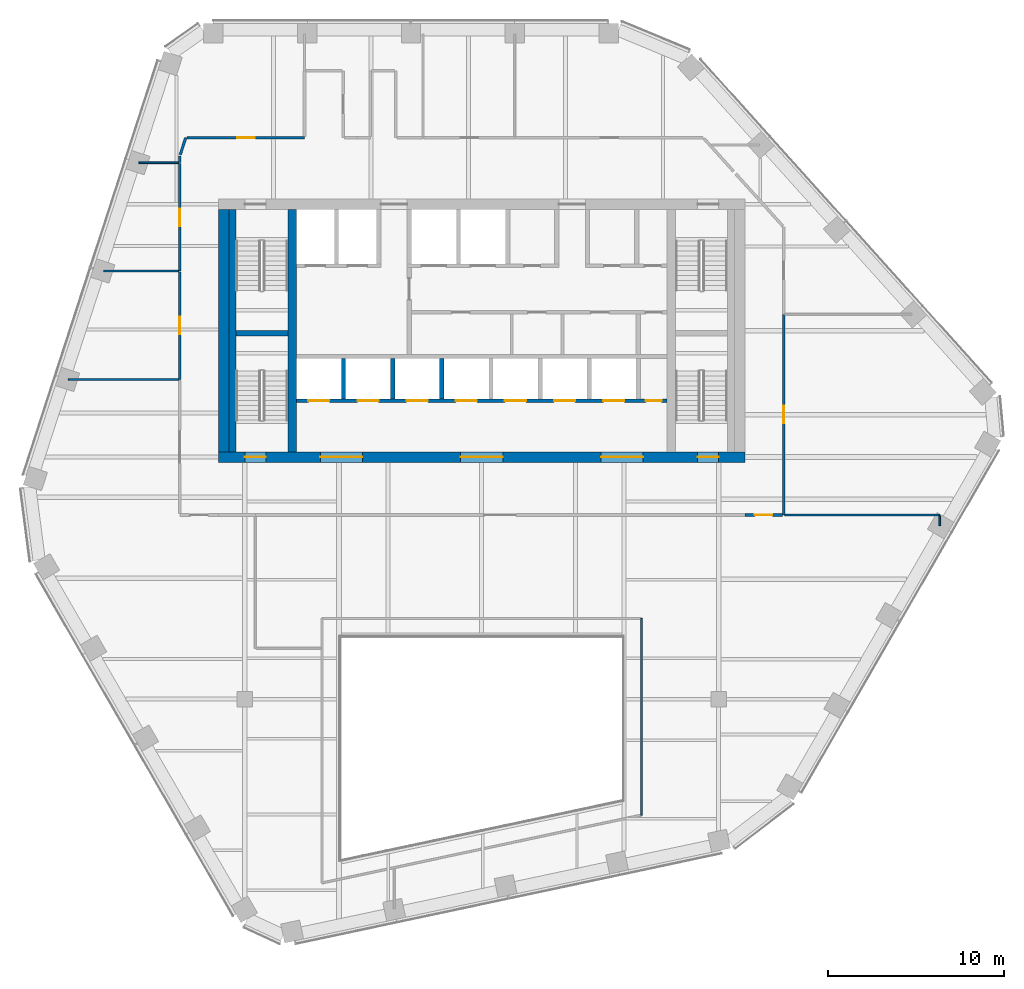
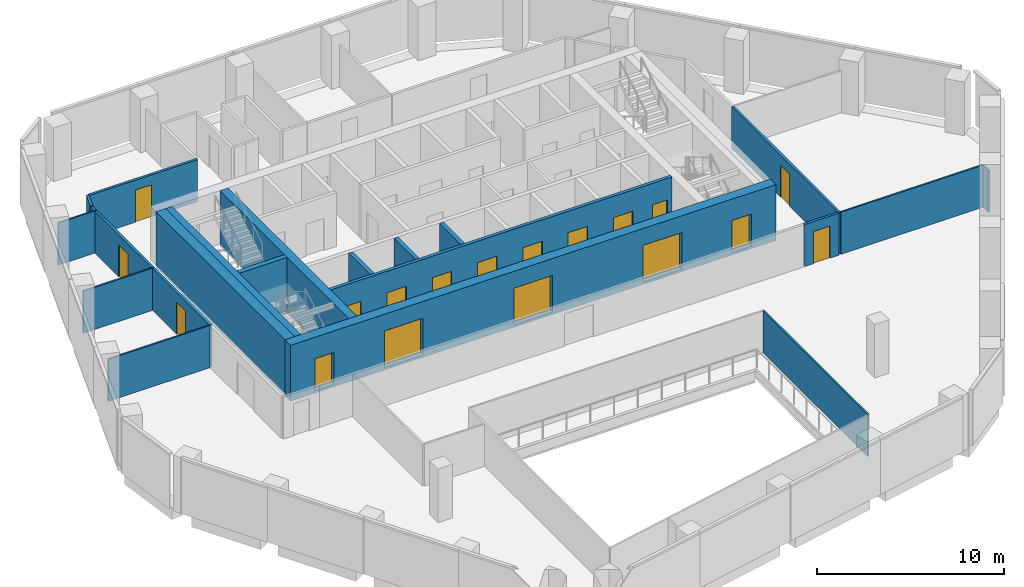
# One storey, part 9 of 15: 22 walls, 18 doors, 18 openings.
"""IFC4 building model written with IfcOpenShell, lengths in metres."""

import ifcopenshell
import ifcopenshell.guid

model = None  # the IFC model being written
_history = None  # IfcOwnerHistory: only IFC2X3 demands one
_inside = {}  # id of a spatial element -> (the spatial element, [elements in it])
_under = {}  # id of a project, library or spatial element -> (it, [spatial elements below it])
_declared = {}  # id of a project -> (the project, [libraries it declares])
_typed = {}  # id of a type object -> (the type object, [elements of that type])
_made_of = {}  # id of a material, layer set ... -> (it, [elements and type objects made of it])


def new_model(schema):
    """Start an empty IFC model of exactly this schema.

    Asked for "IFC4X3", IfcOpenShell would pick the latest addendum, in which some entities
    have other attributes; the version numbers below select the first issue.
    IFC2X3 requires an IfcOwnerHistory on every rooted entity: one is made here for all.
    """
    global model, _history
    if schema == "IFC4X3":
        model = ifcopenshell.file(schema_version=(4, 3, 0, 0))
    else:
        model = ifcopenshell.file(schema=schema)
    _inside.clear()
    _under.clear()
    _declared.clear()
    _typed.clear()
    _made_of.clear()
    _history = None
    if model.schema == "IFC2X3":
        org = make("IfcOrganization", Name="unknown")
        user = make(
            "IfcPersonAndOrganization",
            ThePerson=make("IfcPerson", FamilyName="unknown"),
            TheOrganization=org,
        )
        app = make(
            "IfcApplication",
            ApplicationDeveloper=org,
            Version="unknown",
            ApplicationFullName="unknown",
            ApplicationIdentifier="unknown",
        )
        _history = make(
            "IfcOwnerHistory",
            OwningUser=user,
            OwningApplication=app,
            ChangeAction="ADDED",
            CreationDate=0,
        )
    return model


def make(cls, **values):
    """One entity of the class cls with the attributes given. An attribute that is None is left unset."""
    return model.create_entity(
        cls, **{name: value for name, value in values.items() if value is not None}
    )


def rooted(cls, **values):
    """An entity with a GlobalId (a new one), such as an element, a storey or a relation."""
    return make(cls, GlobalId=ifcopenshell.guid.new(), OwnerHistory=_history, **values)


def si_unit(unit_type, name, prefix=None):
    """IfcSIUnit, for example si_unit("LENGTHUNIT", "METRE", prefix="MILLI")."""
    return make("IfcSIUnit", UnitType=unit_type, Prefix=prefix, Name=name)


def assignment(units):
    """IfcUnitAssignment: the units of a project."""
    return None if units is None else make("IfcUnitAssignment", Units=units)


def point(xyz):
    """IfcCartesianPoint."""
    return None if xyz is None else make("IfcCartesianPoint", Coordinates=xyz)


def direction(xyz):
    """IfcDirection."""
    return None if xyz is None else make("IfcDirection", DirectionRatios=xyz)


def frame(location, z_axis=None, x_axis=None):
    """IfcAxis2Placement3D, a coordinate frame: its origin and axes. An axis left out is left unset."""
    return make(
        "IfcAxis2Placement3D",
        Location=point(location),
        Axis=direction(z_axis),
        RefDirection=direction(x_axis),
    )


def frame_2d(location, x_axis=None):
    """IfcAxis2Placement2D, a coordinate frame in the plane: its origin and x axis."""
    return make(
        "IfcAxis2Placement2D", Location=point(location), RefDirection=direction(x_axis)
    )


def origin():
    """The frame at (0, 0, 0) with its axes left unset."""
    return frame((0.0, 0.0, 0.0))


def place(relative_to, where):
    """IfcLocalPlacement: puts the frame where relative to a parent placement (None: the world)."""
    return make(
        "IfcLocalPlacement", PlacementRelTo=relative_to, RelativePlacement=where
    )


def context(
    kind, dimensions, precision=None, world=None, true_north=None, identifier=None
):
    """IfcGeometricRepresentationContext, for example the 3D "Model" context."""
    return make(
        "IfcGeometricRepresentationContext",
        ContextIdentifier=identifier,
        ContextType=kind,
        CoordinateSpaceDimension=dimensions,
        Precision=precision,
        WorldCoordinateSystem=world,
        TrueNorth=true_north,
    )


def subcontext(parent, identifier, kind, view, scale=None):
    """IfcGeometricRepresentationSubContext, for example "Body" below "Model"."""
    return make(
        "IfcGeometricRepresentationSubContext",
        ContextIdentifier=identifier,
        ContextType=kind,
        ParentContext=parent,
        TargetScale=scale,
        TargetView=view,
    )


def project(units=None, contexts=None):
    """IfcProject with its units and contexts."""
    return rooted(
        "IfcProject",
        Name="project",
        RepresentationContexts=contexts,
        UnitsInContext=assignment(units),
    )


def spatial(cls, under=None, at=None, **own):
    """A site, building, storey or space (cls), placed at a placement, below another one or the project."""
    s = rooted(cls, ObjectPlacement=at, **own)
    if under is not None:
        _under.setdefault(under.id(), (under, []))[1].append(s)
    return s


def profile(cls, at=None, kind="AREA", **sizes):
    """A parametric profile (cls). Its sizes go by their IFC names, for example OverallWidth=200.0."""
    return make(cls, ProfileType=kind, Position=at, **sizes)


def rectangle(**sizes):
    """IfcRectangleProfileDef."""
    return profile("IfcRectangleProfileDef", **sizes)


def extrude(swept, where, along, depth):
    """IfcExtrudedAreaSolid: the profile swept, set in the frame where, extruded along a direction by depth."""
    return make(
        "IfcExtrudedAreaSolid",
        SweptArea=swept,
        Position=where,
        ExtrudedDirection=direction(along),
        Depth=depth,
    )


def shape(context_of_items, identifier, shape_type, items):
    """IfcShapeRepresentation: the items that make up one representation, for example the "Body"."""
    return make(
        "IfcShapeRepresentation",
        ContextOfItems=context_of_items,
        RepresentationIdentifier=identifier,
        RepresentationType=shape_type,
        Items=items,
    )


def material(Name=None, Category=None):
    """IfcMaterial."""
    return make("IfcMaterial", Name=Name, Category=Category)


def layer(
    of_material, thickness, ventilated=None, Name=None, Category=None, Priority=None
):
    """IfcMaterialLayer: one layer of a wall or slab, of a material (None: an air gap)."""
    return make(
        "IfcMaterialLayer",
        Material=of_material,
        LayerThickness=thickness,
        IsVentilated=ventilated,
        Name=Name,
        Category=Category,
        Priority=Priority,
    )


def layer_set(layers, Name=None):
    """IfcMaterialLayerSet."""
    return make("IfcMaterialLayerSet", MaterialLayers=layers, LayerSetName=Name)


def made_of(thing, what):
    """Note that an element or type object is made of a material, layer set ...; save() writes the relation."""
    if what is not None:
        _made_of.setdefault(what.id(), (what, []))[1].append(thing)
    return thing


def type_object(cls, material=None, **own):
    """A type object (cls), such as IfcWallType, which elements share."""
    return made_of(rooted(cls, **own), material)


def element(
    cls,
    number,
    at=None,
    inside=None,
    cuts=None,
    type_object=None,
    material=None,
    context=None,
    identifier="Body",
    shape_type=None,
    held_by="IfcProductDefinitionShape",
    body=None,
    shapes=None,
    **own,
):
    """One element of the class cls, such as IfcWall. Its Tag is "e" and its number.

    at: its placement. inside: the storey or other place that contains it. cuts: it is an
    opening in that element (IfcRelVoidsElement). A single representation is given by context,
    identifier, shape_type and body (its items); several are given by shapes. held_by: the class
    of the entity that holds the representations. save() writes the other relations.
    """
    e = rooted(cls, Tag="e%d" % number, ObjectPlacement=at, **own)
    if body is not None:
        shapes = [shape(context, identifier, shape_type, body)]
    if shapes is not None:
        e.Representation = make(held_by, Representations=shapes)
    if inside is not None:
        _inside.setdefault(inside.id(), (inside, []))[1].append(e)
    if cuts is not None:
        rooted(
            "IfcRelVoidsElement", RelatingBuildingElement=cuts, RelatedOpeningElement=e
        )
    if type_object is not None:
        _typed.setdefault(type_object.id(), (type_object, []))[1].append(e)
    return made_of(e, material)


def fill(opening, filler):
    """IfcRelFillsElement: the door or window that sits in an opening."""
    return rooted(
        "IfcRelFillsElement",
        RelatingOpeningElement=opening,
        RelatedBuildingElement=filler,
    )


def aggregate(whole, parts):
    """IfcRelAggregates: a whole, such as a stair, and the parts it consists of."""
    return rooted("IfcRelAggregates", RelatingObject=whole, RelatedObjects=parts)


def save(model, path):
    """Write the relations noted so far, then the file.

    IfcRelAggregates (storeys below a building ...), IfcRelContainedInSpatialStructure (elements
    in a storey), IfcRelDefinesByType, IfcRelAssociatesMaterial and IfcRelDeclares: one each for
    every whole, place, type object, material and project.
    """
    for whole, parts in _under.values():
        aggregate(whole, parts)
    for where, things in _inside.values():
        rooted(
            "IfcRelContainedInSpatialStructure",
            RelatedElements=things,
            RelatingStructure=where,
        )
    for kind, things in _typed.values():
        rooted("IfcRelDefinesByType", RelatedObjects=things, RelatingType=kind)
    for what, things in _made_of.values():
        rooted("IfcRelAssociatesMaterial", RelatedObjects=things, RelatingMaterial=what)
    for by, libraries in _declared.values():
        rooted("IfcRelDeclares", RelatingContext=by, RelatedDefinitions=libraries)
    model.write(path)


model = new_model("IFC4")

# Units and contexts
model_context = context("Model", 3, precision=1e-05, world=origin(), true_north=direction((0.0, 1.0)))
body_context = subcontext(model_context, "Body", "Model", "MODEL_VIEW")
ifc_project = project(units=[si_unit("LENGTHUNIT", "METRE"), si_unit("AREAUNIT", "SQUARE_METRE"), si_unit("VOLUMEUNIT", "CUBIC_METRE"), si_unit("PLANEANGLEUNIT", "RADIAN"), si_unit("MASSUNIT", "GRAM", prefix="KILO")], contexts=[model_context])

# Site, building, storey
site_placement = place(None, origin())
site = spatial("IfcSite", under=ifc_project, at=site_placement, CompositionType="ELEMENT")
building_placement = place(site_placement, origin())
building = spatial("IfcBuilding", under=site, at=building_placement, Name="Isthmus Gate Tower", CompositionType="ELEMENT")
storey_placement = place(building_placement, frame((0.0, 0.0, 227.25)))
storey = spatial("IfcBuildingStorey", under=building, at=storey_placement, Name="L57", CompositionType="ELEMENT", Elevation=227.25)

# Wall
ifc_material_1 = material(Name="Fire-rated laminated glass in steel frame", Category="steel")
ifc_layer_1 = layer(ifc_material_1, 0.10009765625)
ifc_layer_set_1 = layer_set([ifc_layer_1], Name="ATRIUM SCREEN GLAZED WALL 100 120 MIN")
wall_type_1 = type_object("IfcWallType", Name="ATRIUM SCREEN GLAZED WALL 100 120 MIN", PredefinedType="PARTITIONING", material=ifc_layer_set_1)
wall_1_placement = place(storey_placement, frame((9.10009765625, -8.89990234375, 0.0), z_axis=(0.0, 0.0, 1.0), x_axis=(0.0, -1.0, 0.0)))
element("IfcWall", 1, at=wall_1_placement, inside=storey, type_object=wall_type_1, Name="L57 atrium screen", PredefinedType="PARTITIONING", context=body_context, shape_type="SweptSolid", body=[
    extrude(rectangle(XDim=11.200927734375, YDim=0.10009765625, at=frame_2d((5.6005859375, 0.0))), origin(), (0.0, 0.0, 1.0), 2.750732421875),
])

# Wall, opening, door
ifc_material_2 = material(Name="Gypsum board on steel studs, fire-rated", Category="steel")
ifc_layer_2 = layer(ifc_material_2, 0.14990234375)
ifc_layer_set_2 = layer_set([ifc_layer_2], Name="CORRIDOR WALL 150 60 MIN")
wall_type_2 = type_object("IfcWallType", Name="CORRIDOR WALL 150 60 MIN", PredefinedType="PARTITIONING", material=ifc_layer_set_2)
wall_2_placement = place(storey_placement, frame((17.199951171875, 8.427978515625, 0.0), z_axis=(0.0, 0.0, 1.0), x_axis=(0.0, -1.0, 0.0)))
wall_2 = element("IfcWall", 2, at=wall_2_placement, inside=storey, type_object=wall_type_2, Name="L57 Corridor Wall 150 60 Min", PredefinedType="PARTITIONING", context=body_context, shape_type="SweptSolid", body=[
    extrude(rectangle(XDim=11.427978515625, YDim=0.14990234375, at=frame_2d((5.7138671875, 0.0))), origin(), (0.0, 0.0, 1.0), 2.750732421875),
])
opening_1_placement = place(wall_2_placement, frame((5.214111328125, 0.0, 0.0)))
opening_1 = element("IfcOpeningElement", 3, at=opening_1_placement, cuts=wall_2, Name="Opening DT-T5B-08", PredefinedType="OPENING", context=body_context, shape_type="SweptSolid", body=[
    extrude(rectangle(XDim=1.0, YDim=2.10009765625, at=frame_2d((0.5, 1.050048828125))), frame((0.0, 0.0849609375, 0.0), z_axis=(0.0, -1.0, 0.0), x_axis=(1.0, 0.0, 0.0)), (0.0, 0.0, 1.0), 0.169921875),
])
ifc_material_3 = material(Name="Solid core timber door leaf, fire-rated", Category="wood")
door_type_1 = type_object("IfcDoorType", Name="FIRE DOOR ROOM 1000 X 2100 60 MIN", OperationType="SINGLE_SWING_LEFT", PredefinedType="DOOR", material=ifc_material_3)
door_1_placement = place(opening_1_placement, origin())
door_1 = element("IfcDoor", 4, at=door_1_placement, inside=storey, type_object=door_type_1, Name="L57 room door", OperationType="SINGLE_SWING_RIGHT", OverallHeight=2.10009765625, OverallWidth=1.0, PredefinedType="DOOR", context=body_context, shape_type="SweptSolid", body=[
    extrude(rectangle(XDim=1.0, YDim=2.10009765625, at=frame_2d((0.5, 1.050048828125))), frame((0.0, 0.02490234375, 0.0), z_axis=(0.0, -1.0, 0.0), x_axis=(1.0, 0.0, 0.0)), (0.0, 0.0, 1.0), 0.050048828125),
])
fill(opening_1, door_1)

wall_3_placement = place(storey_placement, frame((17.125, -3.0, 0.0), z_axis=(0.0, 0.0, 1.0), x_axis=(-1.0, 0.0, 0.0)))
wall_3 = element("IfcWall", 5, at=wall_3_placement, inside=storey, type_object=wall_type_2, Name="L57 Corridor Wall 150 60 Min", PredefinedType="PARTITIONING", context=body_context, shape_type="SweptSolid", body=[
    extrude(rectangle(XDim=2.125, YDim=0.14990234375, at=frame_2d((1.0625, 0.0))), origin(), (0.0, 0.0, 1.0), 2.750732421875),
])
opening_2_placement = place(wall_3_placement, frame((0.5625, 0.0, 0.0)))
opening_2 = element("IfcOpeningElement", 6, at=opening_2_placement, cuts=wall_3, Name="Opening DT-T5B-12", PredefinedType="OPENING", context=body_context, shape_type="SweptSolid", body=[
    extrude(rectangle(XDim=1.0, YDim=2.10009765625, at=frame_2d((0.5, 1.050048828125))), frame((0.0, 0.0849609375, 0.0), z_axis=(0.0, -1.0, 0.0), x_axis=(1.0, 0.0, 0.0)), (0.0, 0.0, 1.0), 0.169921875),
])
door_2_placement = place(opening_2_placement, origin())
door_2 = element("IfcDoor", 7, at=door_2_placement, inside=storey, type_object=door_type_1, Name="L57 room door", OperationType="SINGLE_SWING_RIGHT", OverallHeight=2.10009765625, OverallWidth=1.0, PredefinedType="DOOR", context=body_context, shape_type="SweptSolid", body=[
    extrude(rectangle(XDim=1.0, YDim=2.10009765625, at=frame_2d((0.5, 1.050048828125))), frame((0.0, 0.02490234375, 0.0), z_axis=(0.0, -1.0, 0.0), x_axis=(1.0, 0.0, 0.0)), (0.0, 0.0, 1.0), 0.050048828125),
])
fill(opening_2, door_2)

# Walls
wall_4_placement = place(storey_placement, frame((-17.199951171875, 17.071044921875, 0.0), z_axis=(0.0, 0.0, 1.0), x_axis=(0.0, 1.0, 0.0)))
element("IfcWall", 8, at=wall_4_placement, inside=storey, type_object=wall_type_2, Name="L57 Corridor Wall 150 60 Min", PredefinedType="PARTITIONING", context=body_context, shape_type="SweptSolid", body=[
    extrude(rectangle(XDim=0.388916015625, YDim=0.14990234375, at=frame_2d((0.1943359375, 0.0))), origin(), (0.0, 0.0, 1.0), 2.750732421875),
])
wall_5_placement = place(storey_placement, frame((-17.1767578125, 17.53125, 0.0), z_axis=(0.0, 0.0, 1.0), x_axis=(0.30895599646, 0.951076333556, 0.0)))
element("IfcWall", 9, at=wall_5_placement, inside=storey, type_object=wall_type_2, Name="L57 Corridor Wall 150 60 Min", PredefinedType="PARTITIONING", context=body_context, shape_type="SweptSolid", body=[
    extrude(rectangle(XDim=1.0185546875, YDim=0.14990234375, at=frame_2d((0.50927734375, 0.0))), origin(), (0.0, 0.0, 1.0), 2.750732421875),
])

# Wall, opening, door
wall_6_placement = place(storey_placement, frame((-16.787109375, 18.5, 0.0), z_axis=(0.0, 0.0, 1.0), x_axis=(1.0, 0.0, 0.0)))
wall_6 = element("IfcWall", 10, at=wall_6_placement, inside=storey, type_object=wall_type_2, Name="L57 Corridor Wall 150 60 Min", PredefinedType="PARTITIONING", context=body_context, shape_type="SweptSolid", body=[
    extrude(rectangle(XDim=6.68701171875, YDim=0.14990234375, at=frame_2d((3.343505859375, 0.0))), origin(), (0.0, 0.0, 1.0), 2.750732421875),
])
opening_3_placement = place(wall_6_placement, frame((2.843505859375, 0.0, 0.0)))
opening_3 = element("IfcOpeningElement", 11, at=opening_3_placement, cuts=wall_6, Name="Opening DT-T5B-01", PredefinedType="OPENING", context=body_context, shape_type="SweptSolid", body=[
    extrude(rectangle(XDim=1.0, YDim=2.10009765625, at=frame_2d((0.5, 1.050048828125))), frame((0.0, 0.0849609375, 0.0), z_axis=(0.0, -1.0, 0.0), x_axis=(1.0, 0.0, 0.0)), (0.0, 0.0, 1.0), 0.169921875),
])
door_3_placement = place(opening_3_placement, origin())
door_3 = element("IfcDoor", 12, at=door_3_placement, inside=storey, type_object=door_type_1, Name="L57 room door", OperationType="SINGLE_SWING_RIGHT", OverallHeight=2.10009765625, OverallWidth=1.0, PredefinedType="DOOR", context=body_context, shape_type="SweptSolid", body=[
    extrude(rectangle(XDim=1.0, YDim=2.10009765625, at=frame_2d((0.5, 1.050048828125))), frame((0.0, 0.02490234375, 0.0), z_axis=(0.0, -1.0, 0.0), x_axis=(1.0, 0.0, 0.0)), (0.0, 0.0, 1.0), 0.050048828125),
])
fill(opening_3, door_3)

wall_7_placement = place(storey_placement, frame((-17.199951171875, 10.89697265625, 0.0), z_axis=(0.0, 0.0, 1.0), x_axis=(0.0, 1.0, 0.0)))
wall_7 = element("IfcWall", 13, at=wall_7_placement, inside=storey, type_object=wall_type_2, Name="L57 Corridor Wall 150 60 Min", PredefinedType="PARTITIONING", context=body_context, shape_type="SweptSolid", body=[
    extrude(rectangle(XDim=6.1240234375, YDim=0.14990234375, at=frame_2d((3.06201171875, 0.0))), origin(), (0.0, 0.0, 1.0), 2.750732421875),
])
opening_4_placement = place(wall_7_placement, frame((2.56201171875, 0.0, 0.0)))
opening_4 = element("IfcOpeningElement", 14, at=opening_4_placement, cuts=wall_7, Name="Opening DT-T5B-05", PredefinedType="OPENING", context=body_context, shape_type="SweptSolid", body=[
    extrude(rectangle(XDim=1.0, YDim=2.10009765625, at=frame_2d((0.5, 1.050048828125))), frame((0.0, 0.0849609375, 0.0), z_axis=(0.0, -1.0, 0.0), x_axis=(1.0, 0.0, 0.0)), (0.0, 0.0, 1.0), 0.169921875),
])
door_4_placement = place(opening_4_placement, origin())
door_4 = element("IfcDoor", 15, at=door_4_placement, inside=storey, type_object=door_type_1, Name="L57 room door", OperationType="SINGLE_SWING_RIGHT", OverallHeight=2.10009765625, OverallWidth=1.0, PredefinedType="DOOR", context=body_context, shape_type="SweptSolid", body=[
    extrude(rectangle(XDim=1.0, YDim=2.10009765625, at=frame_2d((0.5, 1.050048828125))), frame((0.0, 0.02490234375, 0.0), z_axis=(0.0, -1.0, 0.0), x_axis=(1.0, 0.0, 0.0)), (0.0, 0.0, 1.0), 0.050048828125),
])
fill(opening_4, door_4)

wall_8_placement = place(storey_placement, frame((-17.199951171875, 4.722900390625, 0.0), z_axis=(0.0, 0.0, 1.0), x_axis=(0.0, 1.0, 0.0)))
wall_8 = element("IfcWall", 16, at=wall_8_placement, inside=storey, type_object=wall_type_2, Name="L57 Corridor Wall 150 60 Min", PredefinedType="PARTITIONING", context=body_context, shape_type="SweptSolid", body=[
    extrude(rectangle(XDim=6.1240234375, YDim=0.14990234375, at=frame_2d((3.06201171875, 0.0))), origin(), (0.0, 0.0, 1.0), 2.750732421875),
])
opening_5_placement = place(wall_8_placement, frame((2.56201171875, 0.0, 0.0)))
opening_5 = element("IfcOpeningElement", 17, at=opening_5_placement, cuts=wall_8, Name="Opening DT-T5B-07", PredefinedType="OPENING", context=body_context, shape_type="SweptSolid", body=[
    extrude(rectangle(XDim=1.0, YDim=2.10009765625, at=frame_2d((0.5, 1.050048828125))), frame((0.0, 0.0849609375, 0.0), z_axis=(0.0, -1.0, 0.0), x_axis=(1.0, 0.0, 0.0)), (0.0, 0.0, 1.0), 0.169921875),
])
door_5_placement = place(opening_5_placement, origin())
door_5 = element("IfcDoor", 18, at=door_5_placement, inside=storey, type_object=door_type_1, Name="L57 room door", OperationType="SINGLE_SWING_RIGHT", OverallHeight=2.10009765625, OverallWidth=1.0, PredefinedType="DOOR", context=body_context, shape_type="SweptSolid", body=[
    extrude(rectangle(XDim=1.0, YDim=2.10009765625, at=frame_2d((0.5, 1.050048828125))), frame((0.0, 0.02490234375, 0.0), z_axis=(0.0, -1.0, 0.0), x_axis=(1.0, 0.0, 0.0)), (0.0, 0.0, 1.0), 0.050048828125),
])
fill(opening_5, door_5)

# Wall
ifc_material_4 = material(Name="Concrete f'c 50 MPa", Category="concrete")
ifc_layer_3 = layer(ifc_material_4, 0.5)
ifc_layer_set_3 = layer_set([ifc_layer_3], Name="RC CORE SPINE WALL 500 F'C 50")
wall_type_3 = type_object("IfcWallType", Name="RC CORE SPINE WALL 500 F'C 50", PredefinedType="SOLIDWALL", material=ifc_layer_set_3)
wall_9_placement = place(storey_placement, frame((-10.800048828125, 0.60009765625, -0.14990234375), z_axis=(0.0, 0.0, 1.0), x_axis=(0.0, 1.0, 0.0)))
element("IfcWall", 19, at=wall_9_placement, inside=storey, type_object=wall_type_3, Name="str-corewall-L57-SPW", PredefinedType="SOLIDWALL", context=body_context, shape_type="SweptSolid", body=[
    extrude(rectangle(XDim=13.7998046875, YDim=0.5, at=frame_2d((6.89990234375, 0.0))), origin(), (0.0, 0.0, 1.0), 3.64990234375),
])

# Wall, openings, doors
ifc_material_5 = material(Name="Concrete f'c 50 MPa", Category="concrete")
ifc_layer_4 = layer(ifc_material_5, 0.60009765625)
ifc_layer_set_4 = layer_set([ifc_layer_4], Name="RC CORE WALL 600 F'C 50")
wall_type_4 = type_object("IfcWallType", Name="RC CORE WALL 600 F'C 50", PredefinedType="SOLIDWALL", material=ifc_layer_set_4)
wall_10_placement = place(storey_placement, frame((-15.0, 0.300048828125, -0.14990234375), z_axis=(0.0, 0.0, 1.0), x_axis=(1.0, 0.0, 0.0)))
wall_10 = element("IfcWall", 20, at=wall_10_placement, inside=storey, type_object=wall_type_4, Name="str-corewall-L57-S", PredefinedType="SOLIDWALL", context=body_context, shape_type="SweptSolid", body=[
    extrude(rectangle(XDim=30.0, YDim=0.60009765625, at=frame_2d((15.0, 0.0))), origin(), (0.0, 0.0, 1.0), 3.64990234375),
])
opening_6_placement = place(wall_10_placement, frame((5.800048828125, 0.0, 0.14990234375)))
opening_6 = element("IfcOpeningElement", 21, at=opening_6_placement, cuts=wall_10, Name="Opening DC-A19-10", PredefinedType="OPENING", context=body_context, shape_type="SweptSolid", body=[
    extrude(rectangle(XDim=2.39990234375, YDim=2.39990234375, at=frame_2d((1.199951171875, 1.199951171875))), frame((0.0, 0.31005859375, 0.0), z_axis=(0.0, -1.0, 0.0), x_axis=(1.0, 0.0, 0.0)), (0.0, 0.0, 1.0), 0.6201171875),
])
opening_7_placement = place(wall_10_placement, frame((13.800048828125, 0.0, 0.14990234375)))
opening_7 = element("IfcOpeningElement", 22, at=opening_7_placement, cuts=wall_10, Name="Opening DC-A19-11", PredefinedType="OPENING", context=body_context, shape_type="SweptSolid", body=[
    extrude(rectangle(XDim=2.39990234375, YDim=2.39990234375, at=frame_2d((1.199951171875, 1.199951171875))), frame((0.0, 0.31005859375, 0.0), z_axis=(0.0, -1.0, 0.0), x_axis=(1.0, 0.0, 0.0)), (0.0, 0.0, 1.0), 0.6201171875),
])
opening_8_placement = place(wall_10_placement, frame((21.800048828125, 0.0, 0.14990234375)))
opening_8 = element("IfcOpeningElement", 23, at=opening_8_placement, cuts=wall_10, Name="Opening DC-A19-12", PredefinedType="OPENING", context=body_context, shape_type="SweptSolid", body=[
    extrude(rectangle(XDim=2.39990234375, YDim=2.39990234375, at=frame_2d((1.199951171875, 1.199951171875))), frame((0.0, 0.31005859375, 0.0), z_axis=(0.0, -1.0, 0.0), x_axis=(1.0, 0.0, 0.0)), (0.0, 0.0, 1.0), 0.6201171875),
])
opening_9_placement = place(wall_10_placement, frame((1.5, 0.0, 0.14990234375)))
opening_9 = element("IfcOpeningElement", 24, at=opening_9_placement, cuts=wall_10, Name="Opening DC-A19-17", PredefinedType="OPENING", context=body_context, shape_type="SweptSolid", body=[
    extrude(rectangle(XDim=1.199951171875, YDim=2.10009765625, at=frame_2d((0.60009765625, 1.050048828125))), frame((0.0, 0.31005859375, 0.0), z_axis=(0.0, -1.0, 0.0), x_axis=(1.0, 0.0, 0.0)), (0.0, 0.0, 1.0), 0.6201171875),
])
opening_10_placement = place(wall_10_placement, frame((27.300048828125, 0.0, 0.14990234375)))
opening_10 = element("IfcOpeningElement", 25, at=opening_10_placement, cuts=wall_10, Name="Opening DC-A19-18", PredefinedType="OPENING", context=body_context, shape_type="SweptSolid", body=[
    extrude(rectangle(XDim=1.199951171875, YDim=2.10009765625, at=frame_2d((0.60009765625, 1.050048828125))), frame((0.0, 0.31005859375, 0.0), z_axis=(0.0, -1.0, 0.0), x_axis=(1.0, 0.0, 0.0)), (0.0, 0.0, 1.0), 0.6201171875),
])
ifc_material_6 = material(Name="Laminated safety glass in steel frame, fire-rated", Category="steel")
door_type_2 = type_object("IfcDoorType", Name="LOBBY ENTRANCE FIRE DOOR 2400 X 2400 60 MIN", OperationType="DOUBLE_DOOR_DOUBLE_SWING", PredefinedType="DOOR", material=ifc_material_6)
door_6_placement = place(opening_6_placement, origin())
door_6 = element("IfcDoor", 26, at=door_6_placement, inside=storey, type_object=door_type_2, Name="Lobby Entrance PS-W", OperationType="DOUBLE_DOOR_DOUBLE_SWING", OverallHeight=2.39990234375, OverallWidth=2.39990234375, PredefinedType="DOOR", context=body_context, shape_type="SweptSolid", body=[
    extrude(rectangle(XDim=2.39990234375, YDim=2.39990234375, at=frame_2d((1.199951171875, 1.199951171875))), frame((0.0, 0.02490234375, 0.0), z_axis=(0.0, -1.0, 0.0), x_axis=(1.0, 0.0, 0.0)), (0.0, 0.0, 1.0), 0.050048828125),
])
fill(opening_6, door_6)
door_7_placement = place(opening_7_placement, origin())
door_7 = element("IfcDoor", 27, at=door_7_placement, inside=storey, type_object=door_type_2, Name="Lobby Entrance PS-C", OperationType="DOUBLE_DOOR_DOUBLE_SWING", OverallHeight=2.39990234375, OverallWidth=2.39990234375, PredefinedType="DOOR", context=body_context, shape_type="SweptSolid", body=[
    extrude(rectangle(XDim=2.39990234375, YDim=2.39990234375, at=frame_2d((1.199951171875, 1.199951171875))), frame((0.0, 0.02490234375, 0.0), z_axis=(0.0, -1.0, 0.0), x_axis=(1.0, 0.0, 0.0)), (0.0, 0.0, 1.0), 0.050048828125),
])
fill(opening_7, door_7)
door_8_placement = place(opening_8_placement, origin())
door_8 = element("IfcDoor", 28, at=door_8_placement, inside=storey, type_object=door_type_2, Name="Lobby Entrance PS-E", OperationType="DOUBLE_DOOR_DOUBLE_SWING", OverallHeight=2.39990234375, OverallWidth=2.39990234375, PredefinedType="DOOR", context=body_context, shape_type="SweptSolid", body=[
    extrude(rectangle(XDim=2.39990234375, YDim=2.39990234375, at=frame_2d((1.199951171875, 1.199951171875))), frame((0.0, 0.02490234375, 0.0), z_axis=(0.0, -1.0, 0.0), x_axis=(1.0, 0.0, 0.0)), (0.0, 0.0, 1.0), 0.050048828125),
])
fill(opening_8, door_8)
ifc_material_7 = material(Name="Steel door leaf, fire-rated", Category="steel")
door_type_3 = type_object("IfcDoorType", Name="STAIR FIRE DOOR 1200 X 2100 90 MIN", OperationType="SINGLE_SWING_LEFT", PredefinedType="DOOR", material=ifc_material_7)
door_9_placement = place(opening_9_placement, origin())
door_9 = element("IfcDoor", 29, at=door_9_placement, inside=storey, type_object=door_type_3, Name="Exit Stair 7 Door", OperationType="SINGLE_SWING_LEFT", OverallHeight=2.10009765625, OverallWidth=1.199951171875, PredefinedType="DOOR", context=body_context, shape_type="SweptSolid", body=[
    extrude(rectangle(XDim=1.199951171875, YDim=2.10009765625, at=frame_2d((0.60009765625, 1.050048828125))), frame((0.0, 0.02490234375, 0.0), z_axis=(0.0, -1.0, 0.0), x_axis=(1.0, 0.0, 0.0)), (0.0, 0.0, 1.0), 0.050048828125),
])
fill(opening_9, door_9)
door_10_placement = place(opening_10_placement, origin())
door_10 = element("IfcDoor", 30, at=door_10_placement, inside=storey, type_object=door_type_3, Name="Exit Stair 8 Door", OperationType="SINGLE_SWING_RIGHT", OverallHeight=2.10009765625, OverallWidth=1.199951171875, PredefinedType="DOOR", context=body_context, shape_type="SweptSolid", body=[
    extrude(rectangle(XDim=1.199951171875, YDim=2.10009765625, at=frame_2d((0.60009765625, 1.050048828125))), frame((0.0, 0.02490234375, 0.0), z_axis=(0.0, -1.0, 0.0), x_axis=(1.0, 0.0, 0.0)), (0.0, 0.0, 1.0), 0.050048828125),
])
fill(opening_10, door_10)

# Walls
wall_11_placement = place(storey_placement, frame((-14.699951171875, 0.60009765625, -0.14990234375), z_axis=(0.0, 0.0, 1.0), x_axis=(0.0, 1.0, 0.0)))
element("IfcWall", 31, at=wall_11_placement, inside=storey, type_object=wall_type_4, Name="str-corewall-L57-W", PredefinedType="SOLIDWALL", context=body_context, shape_type="SweptSolid", body=[
    extrude(rectangle(XDim=13.7998046875, YDim=0.60009765625, at=frame_2d((6.89990234375, 0.0))), origin(), (0.0, 0.0, 1.0), 3.64990234375),
])
ifc_material_8 = material(Name="Gypsum board on steel studs, fire-rated", Category="steel")
ifc_layer_5 = layer(ifc_material_8, 0.10009765625)
ifc_layer_set_5 = layer_set([ifc_layer_5], Name="ROOM PARTITION 100 30 MIN")
wall_type_5 = type_object("IfcWallType", Name="ROOM PARTITION 100 30 MIN", PredefinedType="PARTITIONING", material=ifc_layer_set_5)
wall_12_placement = place(storey_placement, frame((-19.534912109375, 17.071044921875, 0.0), z_axis=(0.0, 0.0, 1.0), x_axis=(1.0, 0.0, 0.0)))
element("IfcWall", 32, at=wall_12_placement, inside=storey, type_object=wall_type_5, Name="L57 Room Partition 100 30 Min", PredefinedType="PARTITIONING", context=body_context, shape_type="SweptSolid", body=[
    extrude(rectangle(XDim=2.260009765625, YDim=0.10009765625, at=frame_2d((1.1298828125, 0.0))), origin(), (0.0, 0.0, 1.0), 2.750732421875),
])
wall_13_placement = place(storey_placement, frame((-21.541015625, 10.89697265625, 0.0), z_axis=(0.0, 0.0, 1.0), x_axis=(1.0, 0.0, 0.0)))
element("IfcWall", 33, at=wall_13_placement, inside=storey, type_object=wall_type_5, Name="L57 Room Partition 100 30 Min", PredefinedType="PARTITIONING", context=body_context, shape_type="SweptSolid", body=[
    extrude(rectangle(XDim=4.26611328125, YDim=0.10009765625, at=frame_2d((2.133056640625, 0.0))), origin(), (0.0, 0.0, 1.0), 2.750732421875),
])
wall_14_placement = place(storey_placement, frame((-23.547119140625, 4.722900390625, 0.0), z_axis=(0.0, 0.0, 1.0), x_axis=(1.0, 0.0, 0.0)))
element("IfcWall", 34, at=wall_14_placement, inside=storey, type_object=wall_type_5, Name="L57 Room Partition 100 30 Min", PredefinedType="PARTITIONING", context=body_context, shape_type="SweptSolid", body=[
    extrude(rectangle(XDim=6.272216796875, YDim=0.10009765625, at=frame_2d((3.13623046875, 0.0))), origin(), (0.0, 0.0, 1.0), 2.750732421875),
])
wall_15_placement = place(storey_placement, frame((17.27490234375, -3.0, 0.0), z_axis=(0.0, 0.0, 1.0), x_axis=(0.999999975449, 0.000221588228, 0.0)))
element("IfcWall", 35, at=wall_15_placement, inside=storey, type_object=wall_type_5, Name="L57 Room Partition 100 30 Min", PredefinedType="PARTITIONING", context=body_context, shape_type="SweptSolid", body=[
    extrude(rectangle(XDim=8.814208984375, YDim=0.10009765625, at=frame_2d((4.4072265625, 0.0))), origin(), (0.0, 0.0, 1.0), 2.750732421875),
])
wall_16_placement = place(storey_placement, frame((26.089111328125, -3.613037109375, 0.0), z_axis=(0.0, 0.0, 1.0), x_axis=(0.0, 1.0, 0.0)))
element("IfcWall", 36, at=wall_16_placement, inside=storey, type_object=wall_type_5, Name="L57 Room Partition 100 30 Min", PredefinedType="PARTITIONING", context=body_context, shape_type="SweptSolid", body=[
    extrude(rectangle(XDim=0.56494140625, YDim=0.10009765625, at=frame_2d((0.282470703125, 0.0))), origin(), (0.0, 0.0, 1.0), 2.750732421875),
])

# Wall, openings, doors
ifc_material_9 = material(Name="Fire-rated blockwork masonry, 15 MPa", Category="masonry")
ifc_layer_6 = layer(ifc_material_9, 0.199951171875)
ifc_layer_set_6 = layer_set([ifc_layer_6], Name="SHAFT FRONT WALL 200 120 MIN")
wall_type_6 = type_object("IfcWallType", Name="SHAFT FRONT WALL 200 120 MIN", PredefinedType="PARTITIONING", material=ifc_layer_set_6)
wall_17_placement = place(storey_placement, frame((-10.550048828125, 3.5, 0.0), z_axis=(0.0, 0.0, 1.0), x_axis=(1.0, 0.0, 0.0)))
wall_17 = element("IfcWall", 37, at=wall_17_placement, inside=storey, type_object=wall_type_6, Name="L57 SHAFT FRONT WALL 200 120 MIN", PredefinedType="PARTITIONING", context=body_context, shape_type="SweptSolid", body=[
    extrude(rectangle(XDim=21.10009765625, YDim=0.199951171875, at=frame_2d((10.550048828125, 0.0))), origin(), (0.0, 0.0, 1.0), 3.5),
])
opening_11_placement = place(wall_17_placement, frame((0.675048828125, 0.0, 0.0)))
opening_11 = element("IfcOpeningElement", 38, at=opening_11_placement, cuts=wall_17, Name="Opening LD-LC1", PredefinedType="OPENING", context=body_context, shape_type="SweptSolid", body=[
    extrude(rectangle(XDim=1.199951171875, YDim=2.10009765625, at=frame_2d((0.60009765625, 1.050048828125))), frame((0.0, 0.10986328125, 0.0), z_axis=(0.0, -1.0, 0.0), x_axis=(1.0, 0.0, 0.0)), (0.0, 0.0, 1.0), 0.219970703125),
])
opening_12_placement = place(wall_17_placement, frame((3.47509765625, 0.0, 0.0)))
opening_12 = element("IfcOpeningElement", 39, at=opening_12_placement, cuts=wall_17, Name="Opening LD-LC2", PredefinedType="OPENING", context=body_context, shape_type="SweptSolid", body=[
    extrude(rectangle(XDim=1.199951171875, YDim=2.10009765625, at=frame_2d((0.60009765625, 1.050048828125))), frame((0.0, 0.10986328125, 0.0), z_axis=(0.0, -1.0, 0.0), x_axis=(1.0, 0.0, 0.0)), (0.0, 0.0, 1.0), 0.219970703125),
])
opening_13_placement = place(wall_17_placement, frame((6.27490234375, 0.0, 0.0)))
opening_13 = element("IfcOpeningElement", 40, at=opening_13_placement, cuts=wall_17, Name="Opening LD-LC3", PredefinedType="OPENING", context=body_context, shape_type="SweptSolid", body=[
    extrude(rectangle(XDim=1.199951171875, YDim=2.10009765625, at=frame_2d((0.60009765625, 1.050048828125))), frame((0.0, 0.10986328125, 0.0), z_axis=(0.0, -1.0, 0.0), x_axis=(1.0, 0.0, 0.0)), (0.0, 0.0, 1.0), 0.219970703125),
])
opening_14_placement = place(wall_17_placement, frame((9.074951171875, 0.0, 0.0)))
opening_14 = element("IfcOpeningElement", 41, at=opening_14_placement, cuts=wall_17, Name="Opening LD-LC4", PredefinedType="OPENING", context=body_context, shape_type="SweptSolid", body=[
    extrude(rectangle(XDim=1.199951171875, YDim=2.10009765625, at=frame_2d((0.60009765625, 1.050048828125))), frame((0.0, 0.10986328125, 0.0), z_axis=(0.0, -1.0, 0.0), x_axis=(1.0, 0.0, 0.0)), (0.0, 0.0, 1.0), 0.219970703125),
])
opening_15_placement = place(wall_17_placement, frame((11.875, 0.0, 0.0)))
opening_15 = element("IfcOpeningElement", 42, at=opening_15_placement, cuts=wall_17, Name="Opening LD-LC5", PredefinedType="OPENING", context=body_context, shape_type="SweptSolid", body=[
    extrude(rectangle(XDim=1.199951171875, YDim=2.10009765625, at=frame_2d((0.60009765625, 1.050048828125))), frame((0.0, 0.10986328125, 0.0), z_axis=(0.0, -1.0, 0.0), x_axis=(1.0, 0.0, 0.0)), (0.0, 0.0, 1.0), 0.219970703125),
])
opening_16_placement = place(wall_17_placement, frame((14.675048828125, 0.0, 0.0)))
opening_16 = element("IfcOpeningElement", 43, at=opening_16_placement, cuts=wall_17, Name="Opening LD-LC6", PredefinedType="OPENING", context=body_context, shape_type="SweptSolid", body=[
    extrude(rectangle(XDim=1.199951171875, YDim=2.10009765625, at=frame_2d((0.60009765625, 1.050048828125))), frame((0.0, 0.10986328125, 0.0), z_axis=(0.0, -1.0, 0.0), x_axis=(1.0, 0.0, 0.0)), (0.0, 0.0, 1.0), 0.219970703125),
])
opening_17_placement = place(wall_17_placement, frame((17.47509765625, 0.0, 0.0)))
opening_17 = element("IfcOpeningElement", 44, at=opening_17_placement, cuts=wall_17, Name="Opening LD-LC7", PredefinedType="OPENING", context=body_context, shape_type="SweptSolid", body=[
    extrude(rectangle(XDim=1.199951171875, YDim=2.10009765625, at=frame_2d((0.60009765625, 1.050048828125))), frame((0.0, 0.10986328125, 0.0), z_axis=(0.0, -1.0, 0.0), x_axis=(1.0, 0.0, 0.0)), (0.0, 0.0, 1.0), 0.219970703125),
])
opening_18_placement = place(wall_17_placement, frame((19.89990234375, 0.0, 0.0)))
opening_18 = element("IfcOpeningElement", 45, at=opening_18_placement, cuts=wall_17, Name="Opening DC-A19-02", PredefinedType="OPENING", context=body_context, shape_type="SweptSolid", body=[
    extrude(rectangle(XDim=0.89990234375, YDim=2.10009765625, at=frame_2d((0.449951171875, 1.050048828125))), frame((0.0, 0.10986328125, 0.0), z_axis=(0.0, -1.0, 0.0), x_axis=(1.0, 0.0, 0.0)), (0.0, 0.0, 1.0), 0.219970703125),
])
ifc_material_10 = material(Name="Stainless steel sliding leaf", Category="steel")
door_type_4 = type_object("IfcDoorType", Name="LIFT LANDING FIRE DOOR 1200 X 2100 90 MIN", OperationType="DOUBLE_DOOR_SLIDING", PredefinedType="DOOR", material=ifc_material_10)
door_11_placement = place(opening_11_placement, origin())
door_11 = element("IfcDoor", 46, at=door_11_placement, inside=storey, type_object=door_type_4, Name="Lift Landing Door LC1", OperationType="DOUBLE_DOOR_SLIDING", OverallHeight=2.10009765625, OverallWidth=1.199951171875, PredefinedType="DOOR", context=body_context, shape_type="SweptSolid", body=[
    extrude(rectangle(XDim=1.199951171875, YDim=2.10009765625, at=frame_2d((0.60009765625, 1.050048828125))), frame((0.0, 0.02490234375, 0.0), z_axis=(0.0, -1.0, 0.0), x_axis=(1.0, 0.0, 0.0)), (0.0, 0.0, 1.0), 0.050048828125),
])
fill(opening_11, door_11)
door_12_placement = place(opening_12_placement, origin())
door_12 = element("IfcDoor", 47, at=door_12_placement, inside=storey, type_object=door_type_4, Name="Lift Landing Door LC2", OperationType="DOUBLE_DOOR_SLIDING", OverallHeight=2.10009765625, OverallWidth=1.199951171875, PredefinedType="DOOR", context=body_context, shape_type="SweptSolid", body=[
    extrude(rectangle(XDim=1.199951171875, YDim=2.10009765625, at=frame_2d((0.60009765625, 1.050048828125))), frame((0.0, 0.02490234375, 0.0), z_axis=(0.0, -1.0, 0.0), x_axis=(1.0, 0.0, 0.0)), (0.0, 0.0, 1.0), 0.050048828125),
])
fill(opening_12, door_12)
door_13_placement = place(opening_13_placement, origin())
door_13 = element("IfcDoor", 48, at=door_13_placement, inside=storey, type_object=door_type_4, Name="Lift Landing Door LC3", OperationType="DOUBLE_DOOR_SLIDING", OverallHeight=2.10009765625, OverallWidth=1.199951171875, PredefinedType="DOOR", context=body_context, shape_type="SweptSolid", body=[
    extrude(rectangle(XDim=1.199951171875, YDim=2.10009765625, at=frame_2d((0.60009765625, 1.050048828125))), frame((0.0, 0.02490234375, 0.0), z_axis=(0.0, -1.0, 0.0), x_axis=(1.0, 0.0, 0.0)), (0.0, 0.0, 1.0), 0.050048828125),
])
fill(opening_13, door_13)
door_14_placement = place(opening_14_placement, origin())
door_14 = element("IfcDoor", 49, at=door_14_placement, inside=storey, type_object=door_type_4, Name="Lift Landing Door LC4", OperationType="DOUBLE_DOOR_SLIDING", OverallHeight=2.10009765625, OverallWidth=1.199951171875, PredefinedType="DOOR", context=body_context, shape_type="SweptSolid", body=[
    extrude(rectangle(XDim=1.199951171875, YDim=2.10009765625, at=frame_2d((0.60009765625, 1.050048828125))), frame((0.0, 0.02490234375, 0.0), z_axis=(0.0, -1.0, 0.0), x_axis=(1.0, 0.0, 0.0)), (0.0, 0.0, 1.0), 0.050048828125),
])
fill(opening_14, door_14)
door_15_placement = place(opening_15_placement, origin())
door_15 = element("IfcDoor", 50, at=door_15_placement, inside=storey, type_object=door_type_4, Name="Lift Landing Door LC5", OperationType="DOUBLE_DOOR_SLIDING", OverallHeight=2.10009765625, OverallWidth=1.199951171875, PredefinedType="DOOR", context=body_context, shape_type="SweptSolid", body=[
    extrude(rectangle(XDim=1.199951171875, YDim=2.10009765625, at=frame_2d((0.60009765625, 1.050048828125))), frame((0.0, 0.02490234375, 0.0), z_axis=(0.0, -1.0, 0.0), x_axis=(1.0, 0.0, 0.0)), (0.0, 0.0, 1.0), 0.050048828125),
])
fill(opening_15, door_15)
door_16_placement = place(opening_16_placement, origin())
door_16 = element("IfcDoor", 51, at=door_16_placement, inside=storey, type_object=door_type_4, Name="Lift Landing Door LC6", OperationType="DOUBLE_DOOR_SLIDING", OverallHeight=2.10009765625, OverallWidth=1.199951171875, PredefinedType="DOOR", context=body_context, shape_type="SweptSolid", body=[
    extrude(rectangle(XDim=1.199951171875, YDim=2.10009765625, at=frame_2d((0.60009765625, 1.050048828125))), frame((0.0, 0.02490234375, 0.0), z_axis=(0.0, -1.0, 0.0), x_axis=(1.0, 0.0, 0.0)), (0.0, 0.0, 1.0), 0.050048828125),
])
fill(opening_16, door_16)
door_17_placement = place(opening_17_placement, origin())
door_17 = element("IfcDoor", 52, at=door_17_placement, inside=storey, type_object=door_type_4, Name="Lift Landing Door LC7", OperationType="DOUBLE_DOOR_SLIDING", OverallHeight=2.10009765625, OverallWidth=1.199951171875, PredefinedType="DOOR", context=body_context, shape_type="SweptSolid", body=[
    extrude(rectangle(XDim=1.199951171875, YDim=2.10009765625, at=frame_2d((0.60009765625, 1.050048828125))), frame((0.0, 0.02490234375, 0.0), z_axis=(0.0, -1.0, 0.0), x_axis=(1.0, 0.0, 0.0)), (0.0, 0.0, 1.0), 0.050048828125),
])
fill(opening_17, door_17)
ifc_material_11 = material(Name="Steel door leaf, fire-rated", Category="steel")
door_type_5 = type_object("IfcDoorType", Name="RISER FIRE DOOR 900 X 2100 90 MIN", OperationType="SINGLE_SWING_LEFT", PredefinedType="DOOR", material=ifc_material_11)
door_18_placement = place(opening_18_placement, origin())
door_18 = element("IfcDoor", 53, at=door_18_placement, inside=storey, type_object=door_type_5, Name="Riser Door", OperationType="SINGLE_SWING_RIGHT", OverallHeight=2.10009765625, OverallWidth=0.89990234375, PredefinedType="DOOR", context=body_context, shape_type="SweptSolid", body=[
    extrude(rectangle(XDim=0.89990234375, YDim=2.10009765625, at=frame_2d((0.449951171875, 1.050048828125))), frame((0.0, 0.02490234375, 0.0), z_axis=(0.0, -1.0, 0.0), x_axis=(1.0, 0.0, 0.0)), (0.0, 0.0, 1.0), 0.050048828125),
])
fill(opening_18, door_18)

# Walls
ifc_material_12 = material(Name="Fire-rated blockwork masonry, 15 MPa", Category="masonry")
ifc_layer_7 = layer(ifc_material_12, 0.25)
ifc_layer_set_7 = layer_set([ifc_layer_7], Name="SHAFT WALL 250 120 MIN")
wall_type_7 = type_object("IfcWallType", Name="SHAFT WALL 250 120 MIN", PredefinedType="PARTITIONING", material=ifc_layer_set_7)
for number, where, z_axis, x_axis, name in (
    (54, (-7.875, 3.60009765625, 0.0), (0.0, 0.0, 1.0), (0.0, 1.0, 0.0), "L57 SHAFT WALL 250 120 MIN"),
    (55, (-5.074951171875, 3.60009765625, 0.0), (0.0, 0.0, 1.0), (0.0, 1.0, 0.0), "L57 SHAFT WALL 250 120 MIN"),
    (56, (-2.27490234375, 3.60009765625, 0.0), (0.0, 0.0, 1.0), (0.0, 1.0, 0.0), "L57 SHAFT WALL 250 120 MIN"),
):
    element("IfcWall", number, at=place(storey_placement, frame(where, z_axis=z_axis, x_axis=x_axis)), inside=storey, type_object=wall_type_7, Name=name, PredefinedType="PARTITIONING", context=body_context, shape_type="SweptSolid", body=[
        extrude(rectangle(XDim=2.2998046875, YDim=0.25, at=frame_2d((1.14990234375, 0.0))), origin(), (0.0, 0.0, 1.0), 3.5),
    ])
ifc_material_13 = material(Name="Concrete f'c 40 MPa", Category="concrete")
ifc_layer_8 = layer(ifc_material_13, 0.300048828125)
ifc_layer_set_8 = layer_set([ifc_layer_8], Name="STAIR ENCLOSURE WALL 300 180 MIN")
wall_type_8 = type_object("IfcWallType", Name="STAIR ENCLOSURE WALL 300 180 MIN", PredefinedType="SOLIDWALL", material=ifc_layer_set_8)
wall_18_placement = place(storey_placement, frame((-14.0, 7.35009765625, 0.0), z_axis=(0.0, 0.0, 1.0), x_axis=(1.0, 0.0, 0.0)))
element("IfcWall", 57, at=wall_18_placement, inside=storey, type_object=wall_type_8, Name="L57 STAIR ENCLOSURE WALL 300 180 MIN", PredefinedType="SOLIDWALL", context=body_context, shape_type="SweptSolid", body=[
    extrude(rectangle(XDim=2.949951171875, YDim=0.300048828125, at=frame_2d((1.47509765625, 0.0))), origin(), (0.0, 0.0, 1.0), 3.5),
])
ifc_material_14 = material(Name="Concrete f'c 40 MPa", Category="concrete")
ifc_layer_9 = layer(ifc_material_14, 0.39990234375)
ifc_layer_set_9 = layer_set([ifc_layer_9], Name="STAIR ENCLOSURE WALL 400 180 MIN")
wall_type_9 = type_object("IfcWallType", Name="STAIR ENCLOSURE WALL 400 180 MIN", PredefinedType="SOLIDWALL", material=ifc_layer_set_9)
wall_19_placement = place(storey_placement, frame((-14.199951171875, 0.60009765625, 0.0), z_axis=(0.0, 0.0, 1.0), x_axis=(0.0, 1.0, 0.0)))
element("IfcWall", 58, at=wall_19_placement, inside=storey, type_object=wall_type_9, Name="L57 STAIR ENCLOSURE WALL 400 180 MIN", PredefinedType="SOLIDWALL", context=body_context, shape_type="SweptSolid", body=[
    extrude(rectangle(XDim=13.7998046875, YDim=0.39990234375, at=frame_2d((6.89990234375, 0.0))), origin(), (0.0, 0.0, 1.0), 3.5),
])

save(model, "model.ifc")
